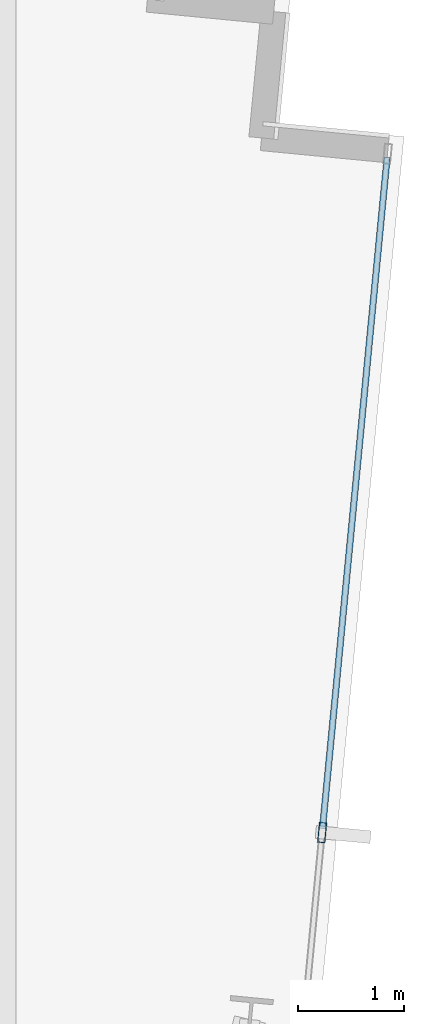
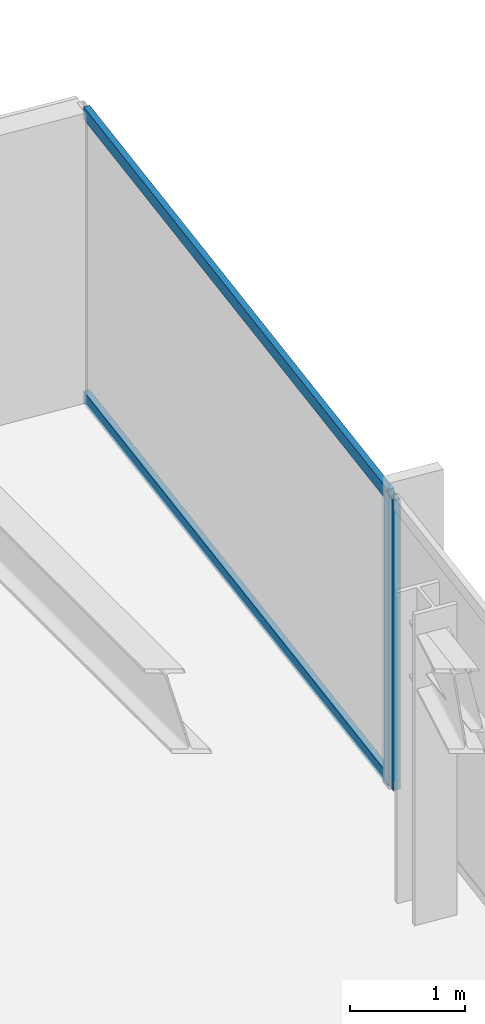
# One storey, part 20 of 38: 3 members, 1 element without a shape of its own.
"""IFC4 building model written with IfcOpenShell, lengths in metres."""

from ifc_helpers import new_model, si_unit, direction, frame, origin, origin_2d, place, context, subcontext, project, spatial, hollow_rectangle, extrude, material, material_profile, profile_set, type_object, element, aggregate, save


model = new_model("IFC4")

# Units and contexts
model_context = context("Model", 3, precision=1e-05, world=origin(), true_north=direction((0.0, 1.0)))
body_context = subcontext(model_context, "Body", "Model", "MODEL_VIEW")
ifc_project = project(units=[si_unit("LENGTHUNIT", "METRE"), si_unit("AREAUNIT", "SQUARE_METRE"), si_unit("VOLUMEUNIT", "CUBIC_METRE"), si_unit("PLANEANGLEUNIT", "RADIAN"), si_unit("MASSUNIT", "GRAM", prefix="KILO")], contexts=[model_context])

# Site, building, storey
site_placement = place(None, origin())
site = spatial("IfcSite", under=ifc_project, at=site_placement, CompositionType="ELEMENT")
building_placement = place(site_placement, origin())
building = spatial("IfcBuilding", under=site, at=building_placement, Name="Yelkora Congress Tower", CompositionType="ELEMENT")
storey_placement = place(building_placement, frame((0.0, 0.0, 155.60009765625)))
storey = spatial("IfcBuildingStorey", under=building, at=storey_placement, Name="L42", CompositionType="ELEMENT", Elevation=155.60009765625)

# Curtain wall, members
ifc_material_1 = material(Name="Anodised aluminium and insulated glass", Category="aluminium")
curtain_wall_type = type_object("IfcCurtainWallType", Name="CW-SYS-B3", PredefinedType="NOTDEFINED", material=ifc_material_1)
curtain_wall_placement = place(storey_placement, origin())
curtain_wall = element("IfcCurtainWall", 1, at=curtain_wall_placement, inside=storey, type_object=curtain_wall_type, Name="L42 Unitised Curtain Wall 15", PredefinedType="NOTDEFINED")
ifc_material_2 = material(Name="Anodised aluminium 6063-T6", Category="aluminium")
ifc_material_profile_1 = material_profile(ifc_material_2, hollow_rectangle(XDim=0.070068359375, YDim=0.18994140625, WallThickness=0.00390625, at=origin_2d()), Name="ALU 70x190x4")
ifc_profile_set_1 = profile_set([ifc_material_profile_1], Name="Anodised aluminium 6063-T6")
member_type_1 = type_object("IfcMemberType", Name="MEM-ML-B3", PredefinedType="MULLION", material=ifc_profile_set_1)
member_1_placement = place(storey_placement, frame((60.646240234375, 36.849853515625, 0.0), z_axis=(0.0, 0.0, 1.0), x_axis=(0.995396565076, -0.095841944023, 0.0)))
member_1 = element("IfcMember", 2, at=member_1_placement, type_object=member_type_1, Name="CW-B3 mullion 2", PredefinedType="MULLION", context=body_context, shape_type="SweptSolid", body=[
    extrude(hollow_rectangle(XDim=0.070068359375, YDim=0.18994140625, WallThickness=0.00390625, at=origin_2d()), origin(), (0.0, 0.0, 1.0), 3.079833984375),
])
ifc_material_profile_2 = material_profile(ifc_material_2, hollow_rectangle(XDim=0.06005859375, YDim=0.1298828125, WallThickness=0.00390625, at=origin_2d()), Name="ALU 60x130x4")
ifc_profile_set_2 = profile_set([ifc_material_profile_2], Name="Anodised aluminium 6063-T6")
member_type_2 = type_object("IfcMemberType", Name="MEM-TR-B3", PredefinedType="USERDEFINED", material=ifc_profile_set_2)
member_2_placement = place(storey_placement, frame((61.260986328125, 43.234375, 0.02978515625), z_axis=(-0.095872844558, -0.995393589329, 0.0), x_axis=(0.995393589329, -0.095872844558, 0.0)))
member_2 = element("IfcMember", 3, at=member_2_placement, type_object=member_type_2, Name="CW-B3 transom 1.1", ObjectType="TRANSOM", PredefinedType="USERDEFINED", context=body_context, shape_type="SweptSolid", body=[
    extrude(hollow_rectangle(XDim=0.06005859375, YDim=0.1298828125, WallThickness=0.00390625, at=origin_2d()), origin(), (0.0, 0.0, 1.0), 6.37890625),
])
member_3_placement = place(storey_placement, frame((61.260986328125, 43.234375, 3.0498046875), z_axis=(-0.095872844558, -0.995393589329, 0.0), x_axis=(0.995393589329, -0.095872844558, 0.0)))
member_3 = element("IfcMember", 4, at=member_3_placement, type_object=member_type_2, Name="CW-B3 transom 1.2", ObjectType="TRANSOM", PredefinedType="USERDEFINED", context=body_context, shape_type="SweptSolid", body=[
    extrude(hollow_rectangle(XDim=0.06005859375, YDim=0.1298828125, WallThickness=0.00390625, at=origin_2d()), origin(), (0.0, 0.0, 1.0), 6.37890625),
])
aggregate(curtain_wall, [member_1, member_2, member_3])

save(model, "model.ifc")
